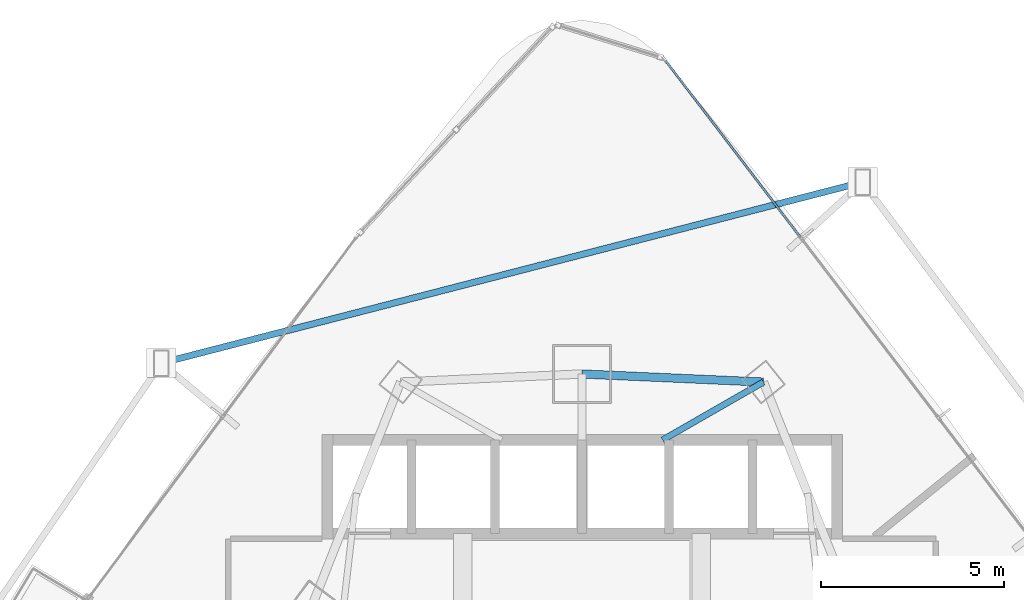
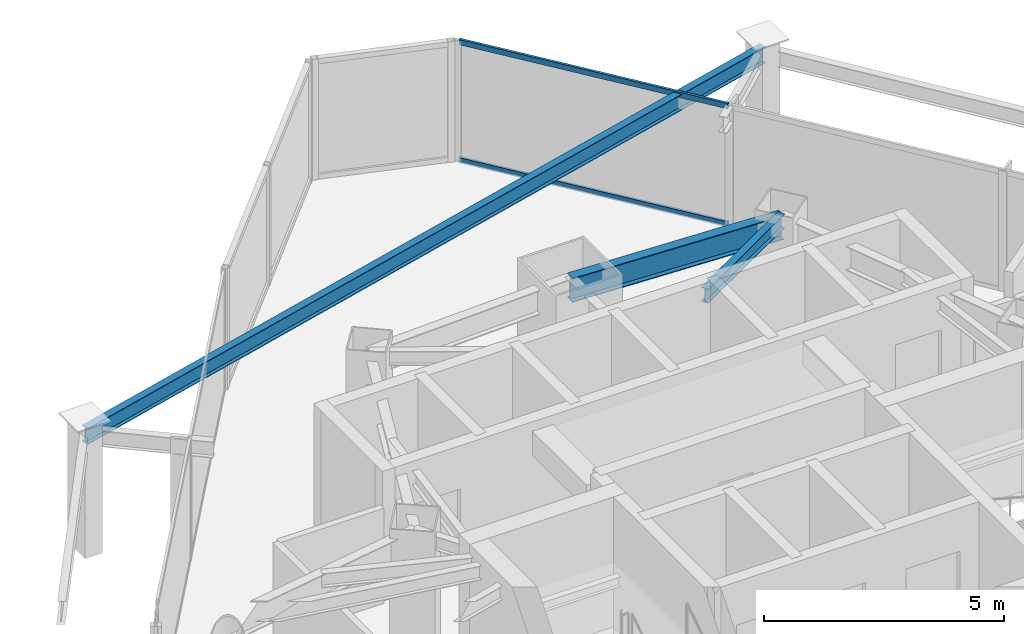
# One storey, part 23 of 34: 3 beams, 2 members, 1 element without a shape of its own.
"""IFC4 building model written with IfcOpenShell, lengths in metres."""

from ifc_helpers import new_model, si_unit, direction, frame, origin, origin_2d, place, context, subcontext, project, spatial, hollow_rectangle, i_section, extrude, material, layer, layer_set, material_profile, profile_set, type_object, element, aggregate, save


model = new_model("IFC4")

# Units and contexts
model_context = context("Model", 3, precision=1e-05, world=origin(), true_north=direction((0.0, 1.0)))
body_context = subcontext(model_context, "Body", "Model", "MODEL_VIEW")
ifc_project = project(units=[si_unit("LENGTHUNIT", "METRE"), si_unit("AREAUNIT", "SQUARE_METRE"), si_unit("VOLUMEUNIT", "CUBIC_METRE"), si_unit("PLANEANGLEUNIT", "RADIAN"), si_unit("MASSUNIT", "GRAM", prefix="KILO")], contexts=[model_context])

# Site, building, storey
site_placement = place(None, origin())
site = spatial("IfcSite", under=ifc_project, at=site_placement, CompositionType="ELEMENT")
building_placement = place(site_placement, origin())
building = spatial("IfcBuilding", under=site, at=building_placement, Name="Orvanel Arch Residences", CompositionType="ELEMENT")
storey_placement = place(building_placement, frame((0.0, 0.0, 80.75)))
storey = spatial("IfcBuildingStorey", under=building, at=storey_placement, Name="L22", CompositionType="ELEMENT", Elevation=80.75)

# Beams
ifc_material_1 = material(Name="Structural steel AS/NZS 3679.1 Grade 300 (300 MPa)", Category="steel")
ifc_material_profile_1 = material_profile(ifc_material_1, i_section(OverallWidth=0.1708984375, OverallDepth=0.35595703125, WebThickness=0.00732421875, FlangeThickness=0.011474609375, at=origin_2d()), Name="360UB50.7")
ifc_profile_set_1 = profile_set([ifc_material_profile_1], Name="Structural steel AS/NZS 3679.1 Grade 300 (300 MPa)")
beam_type_1 = type_object("IfcBeamType", Name="BJ-360UB", PredefinedType="JOIST", material=ifc_profile_set_1)
beam_1_placement = place(storey_placement, frame((35.199951171875, 39.60009765625, 2.882080078125), z_axis=(0.86736513383, 0.497672306458, 0.0), x_axis=(-0.497672306458, 0.86736513383, 0.0)))
element("IfcBeam", 1, at=beam_1_placement, inside=storey, type_object=beam_type_1, Name="L22 MNE Wing Floor Joist", PredefinedType="JOIST", context=body_context, shape_type="SweptSolid", body=[
    extrude(i_section(OverallWidth=0.1708984375, OverallDepth=0.35595703125, WebThickness=0.00732421875, FlangeThickness=0.011474609375, at=origin_2d()), origin(), (0.0, 0.0, 1.0), 3.17041015625),
])
ifc_material_profile_2 = material_profile(ifc_material_1, i_section(OverallWidth=0.177978515625, OverallDepth=0.406005859375, WebThickness=0.0078125, FlangeThickness=0.0126953125, at=origin_2d()), Name="410UB59.7")
ifc_profile_set_2 = profile_set([ifc_material_profile_2], Name="Structural steel AS/NZS 3679.1 Grade 300 (300 MPa)")
beam_type_2 = type_object("IfcBeamType", Name="OB-410UB-EXT", PredefinedType="SPANDREL", material=ifc_profile_set_2)
beam_2_placement = place(storey_placement, frame((40.654052734375, 46.632080078125, 2.85693359375), z_axis=(-0.968283689255, -0.249853351235, 0.0), x_axis=(0.249853351235, -0.968283689255, 0.0)))
element("IfcBeam", 2, at=beam_2_placement, inside=storey, type_object=beam_type_2, Name="L22 Outer Perimeter Floor Ring Beam 12", PredefinedType="SPANDREL", context=body_context, shape_type="SweptSolid", body=[
    extrude(i_section(OverallWidth=0.177978515625, OverallDepth=0.406005859375, WebThickness=0.0078125, FlangeThickness=0.0126953125, at=origin_2d()), origin(), (0.0, 0.0, 1.0), 19.755615234375),
])
ifc_material_profile_3 = material_profile(ifc_material_1, i_section(OverallWidth=0.22900390625, OverallDepth=0.612060546875, WebThickness=0.011962890625, FlangeThickness=0.01953125, at=origin_2d()), Name="610UB125")
ifc_profile_set_3 = profile_set([ifc_material_profile_3], Name="Structural steel AS/NZS 3679.1 Grade 300 (300 MPa)")
beam_type_3 = type_object("IfcBeamType", Name="SP-610UB", PredefinedType="SPANDREL", material=ifc_profile_set_3)
beam_3_placement = place(storey_placement, frame((37.949951171875, 41.177978515625, 2.75390625), z_axis=(-0.999014049296, 0.044395149614, 0.0), x_axis=(-0.044395149614, -0.999014049296, 0.0)))
element("IfcBeam", 3, at=beam_3_placement, inside=storey, type_object=beam_type_3, Name="L22 Perimeter Spandrel Beam 16", PredefinedType="SPANDREL", context=body_context, shape_type="SweptSolid", body=[
    extrude(i_section(OverallWidth=0.22900390625, OverallDepth=0.612060546875, WebThickness=0.011962890625, FlangeThickness=0.01953125, at=origin_2d()), origin(), (0.0, 0.0, 1.0), 4.954833984375),
])

# Curtain wall, members
ifc_material_2 = material(Name="Bronze-anodised aluminium AA6063-T6", Category="aluminium")
ifc_layer = layer(ifc_material_2, 0.179931640625)
ifc_layer_set = layer_set([ifc_layer], Name="Bronze-anodised aluminium AA6063-T6")
curtain_wall_type = type_object("IfcCurtainWallType", Name="CW2-LOW-SYS", PredefinedType="NOTDEFINED", material=ifc_layer_set)
curtain_wall_placement = place(storey_placement, origin())
curtain_wall = element("IfcCurtainWall", 4, at=curtain_wall_placement, inside=storey, type_object=curtain_wall_type, Name="L22 CW2-LOW-SYS Unitised Curtain Wall", PredefinedType="NOTDEFINED")
ifc_material_profile_4 = material_profile(ifc_material_2, hollow_rectangle(XDim=0.06005859375, YDim=0.135009765625, WallThickness=0.00390625, at=origin_2d()), Name="ALU135x60x4")
ifc_profile_set_4 = profile_set([ifc_material_profile_4], Name="Bronze-anodised aluminium AA6063-T6")
member_type = type_object("IfcMemberType", Name="TRN-135x60", PredefinedType="USERDEFINED", material=ifc_profile_set_4)
member_1_placement = place(storey_placement, frame((38.95751953125, 45.12841796875, 0.030029296875), z_axis=(-0.606952007069, 0.794738485991, 0.0), x_axis=(-0.794738485991, -0.606952007069, 0.0)))
member_1 = element("IfcMember", 5, at=member_1_placement, type_object=member_type, Name="CW-S2 transom 3.1", ObjectType="TRANSOM", PredefinedType="USERDEFINED", context=body_context, shape_type="SweptSolid", body=[
    extrude(hollow_rectangle(XDim=0.06005859375, YDim=0.135009765625, WallThickness=0.00390625, at=origin_2d()), origin(), (0.0, 0.0, 1.0), 6.059814453125),
])
member_2_placement = place(storey_placement, frame((38.95751953125, 45.12841796875, 3.030029296875), z_axis=(-0.606952007069, 0.794738485991, 0.0), x_axis=(-0.794738485991, -0.606952007069, 0.0)))
member_2 = element("IfcMember", 6, at=member_2_placement, type_object=member_type, Name="CW-S2 transom 3.2", ObjectType="TRANSOM", PredefinedType="USERDEFINED", context=body_context, shape_type="SweptSolid", body=[
    extrude(hollow_rectangle(XDim=0.06005859375, YDim=0.135009765625, WallThickness=0.00390625, at=origin_2d()), origin(), (0.0, 0.0, 1.0), 6.059814453125),
])
aggregate(curtain_wall, [member_1, member_2])

save(model, "model.ifc")
